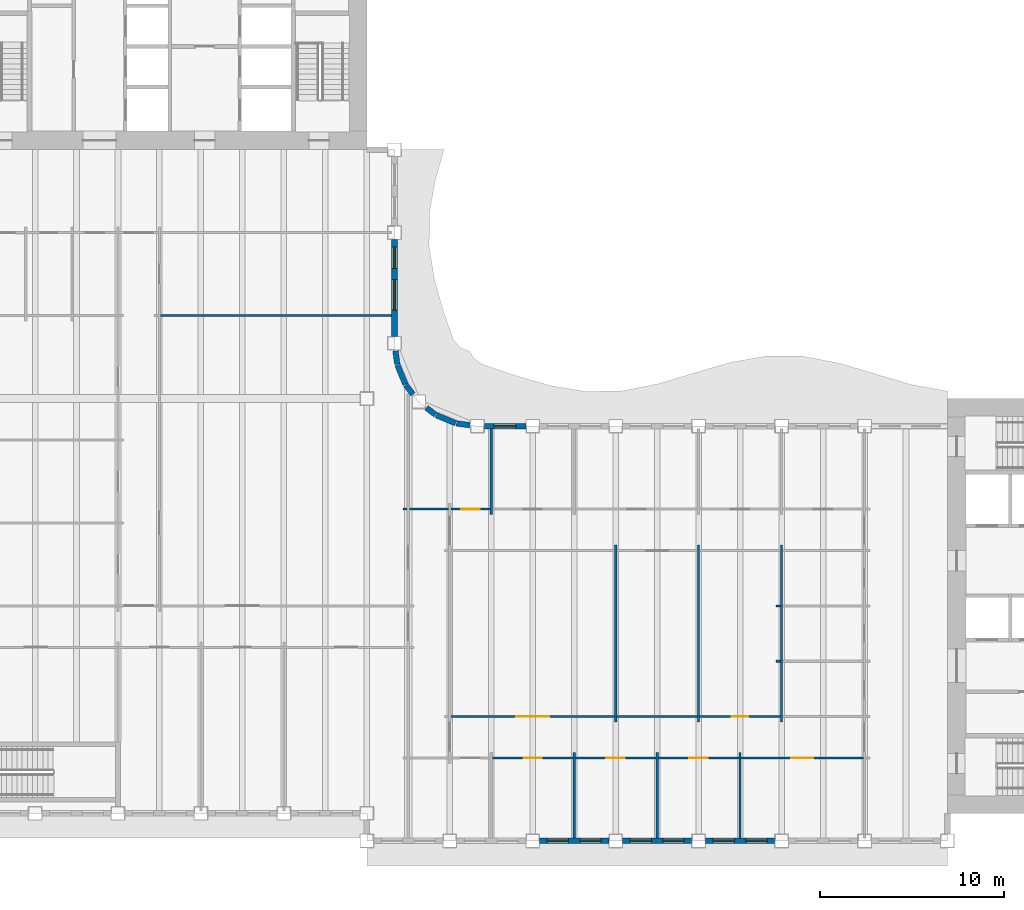
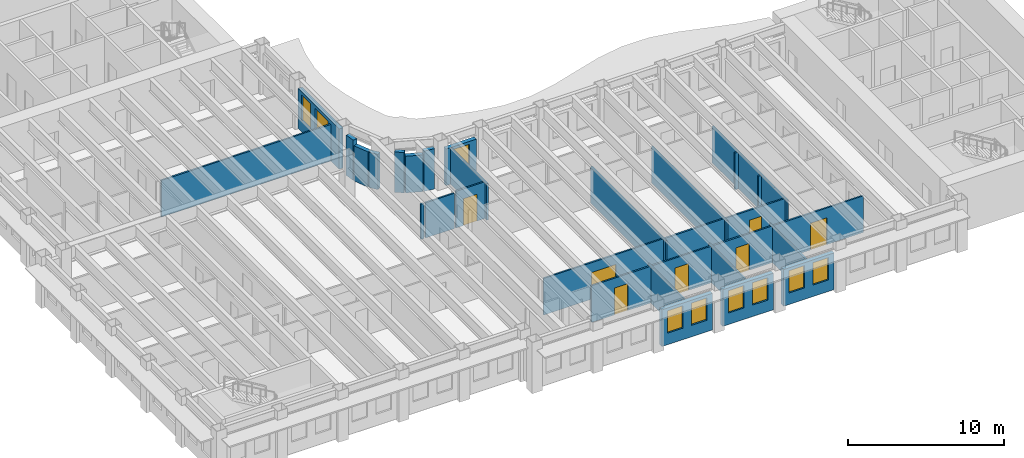
# One storey, part 5 of 17: 31 walls, 9 windows, 7 doors, 16 openings.
"""IFC4 building model written with IfcOpenShell, lengths in metres."""

from ifc_helpers import new_model, si_unit, direction, frame, frame_2d, origin, place, context, subcontext, project, spatial, rectangle, extrude, material, layer, layer_set, type_object, element, fill, save


model = new_model("IFC4")

# Units and contexts
model_context = context("Model", 3, precision=1e-05, world=origin(), true_north=direction((0.0, 1.0)))
body_context = subcontext(model_context, "Body", "Model", "MODEL_VIEW")
ifc_project = project(units=[si_unit("LENGTHUNIT", "METRE"), si_unit("AREAUNIT", "SQUARE_METRE"), si_unit("VOLUMEUNIT", "CUBIC_METRE"), si_unit("PLANEANGLEUNIT", "RADIAN"), si_unit("MASSUNIT", "GRAM", prefix="KILO")], contexts=[model_context])

# Site, building, storey
site_placement = place(None, origin())
site = spatial("IfcSite", under=ifc_project, at=site_placement, CompositionType="ELEMENT")
building_placement = place(site_placement, origin())
building = spatial("IfcBuilding", under=site, at=building_placement, Name="Sennacour Bend Tower", CompositionType="ELEMENT")
storey_placement = place(building_placement, frame((0.0, 0.0, 195.0)))
storey = spatial("IfcBuildingStorey", under=building, at=storey_placement, Name="L44", CompositionType="ELEMENT", Elevation=195.0)

# Walls
ifc_material_1 = material(Name="Plasterboard partition on steel studs", Category="steel")
ifc_layer_1 = layer(ifc_material_1, 0.1201171875, Name="Plasterboard partition on steel studs", Category="steel")
ifc_layer_set_1 = layer_set([ifc_layer_1], Name="Plasterboard partition on steel studs")
wall_type_1 = type_object("IfcWallType", Name="Partition 120", PredefinedType="PARTITIONING", material=ifc_layer_set_1)
for number, where, z_axis, x_axis, name in (
    (1, (29.25, 16.199951171875, 0.0), (0.0, 0.0, 1.0), (0.0, 1.0, 0.0), "P-L44-W027a"),
    (2, (33.75, -1.35009765625, 0.0), (0.0, 0.0, 1.0), (0.0, 1.0, 0.0), "P-L44-W028a"),
):
    element("IfcWall", number, at=place(storey_placement, frame(where, z_axis=z_axis, x_axis=x_axis)), inside=storey, type_object=wall_type_1, Name=name, PredefinedType="PARTITIONING", context=body_context, shape_type="SweptSolid", body=[
        extrude(rectangle(XDim=4.650146484375, YDim=0.1201171875, at=frame_2d((2.3251953125, 0.0))), origin(), (0.0, 0.0, 1.0), 2.8701171875),
    ])
wall_1_placement = place(storey_placement, frame((36.0, 4.949951171875, 0.0), z_axis=(0.0, 0.0, 1.0), x_axis=(0.0, 1.0, 0.0)))
element("IfcWall", 3, at=wall_1_placement, inside=storey, type_object=wall_type_1, Name="P-L44-W030a", PredefinedType="PARTITIONING", context=body_context, shape_type="SweptSolid", body=[
    extrude(rectangle(XDim=9.60009765625, YDim=0.1201171875, at=frame_2d((4.800048828125, 0.0))), origin(), (0.0, 0.0, 1.0), 2.8701171875),
])
wall_2_placement = place(storey_placement, frame((38.25, -1.35009765625, 0.0), z_axis=(0.0, 0.0, 1.0), x_axis=(0.0, 1.0, 0.0)))
element("IfcWall", 4, at=wall_2_placement, inside=storey, type_object=wall_type_1, Name="P-L44-W031a", PredefinedType="PARTITIONING", context=body_context, shape_type="SweptSolid", body=[
    extrude(rectangle(XDim=4.650146484375, YDim=0.1201171875, at=frame_2d((2.3251953125, 0.0))), origin(), (0.0, 0.0, 1.0), 2.8701171875),
])
wall_3_placement = place(storey_placement, frame((40.5, 4.949951171875, 0.0), z_axis=(0.0, 0.0, 1.0), x_axis=(0.0, 1.0, 0.0)))
element("IfcWall", 5, at=wall_3_placement, inside=storey, type_object=wall_type_1, Name="P-L44-W032a", PredefinedType="PARTITIONING", context=body_context, shape_type="SweptSolid", body=[
    extrude(rectangle(XDim=9.60009765625, YDim=0.1201171875, at=frame_2d((4.800048828125, 0.0))), origin(), (0.0, 0.0, 1.0), 2.8701171875),
])
wall_4_placement = place(storey_placement, frame((42.75, -1.35009765625, 0.0), z_axis=(0.0, 0.0, 1.0), x_axis=(0.0, 1.0, 0.0)))
element("IfcWall", 6, at=wall_4_placement, inside=storey, type_object=wall_type_1, Name="P-L44-W034a", PredefinedType="PARTITIONING", context=body_context, shape_type="SweptSolid", body=[
    extrude(rectangle(XDim=4.650146484375, YDim=0.1201171875, at=frame_2d((2.3251953125, 0.0))), origin(), (0.0, 0.0, 1.0), 2.8701171875),
])
wall_5_placement = place(storey_placement, frame((45.0, 4.949951171875, 0.0), z_axis=(0.0, 0.0, 1.0), x_axis=(0.0, 1.0, 0.0)))
element("IfcWall", 7, at=wall_5_placement, inside=storey, type_object=wall_type_1, Name="P-L44-W035a", PredefinedType="PARTITIONING", context=body_context, shape_type="SweptSolid", body=[
    extrude(rectangle(XDim=9.60009765625, YDim=0.1201171875, at=frame_2d((4.800048828125, 0.0))), origin(), (0.0, 0.0, 1.0), 2.8701171875),
])

# Wall, opening, door
wall_6_placement = place(storey_placement, frame((29.31005859375, 3.0, 0.0), z_axis=(0.0, 0.0, 1.0), x_axis=(1.0, 0.0, 0.0)))
wall_6 = element("IfcWall", 8, at=wall_6_placement, inside=storey, type_object=wall_type_1, Name="P-L44-W053ad", PredefinedType="PARTITIONING", context=body_context, shape_type="SweptSolid", body=[
    extrude(rectangle(XDim=4.3798828125, YDim=0.1201171875, at=frame_2d((2.18994140625, 0.0))), origin(), (0.0, 0.0, 1.0), 2.8701171875),
])
opening_1_placement = place(wall_6_placement, frame((1.68994140625, 0.0, 0.0)))
opening_1 = element("IfcOpeningElement", 9, at=opening_1_placement, cuts=wall_6, Name="Opening OD2", PredefinedType="OPENING", context=body_context, shape_type="SweptSolid", body=[
    extrude(rectangle(XDim=1.0, YDim=2.10009765625, at=frame_2d((0.5, 1.050048828125))), frame((0.0, 0.070068359375, 0.0), z_axis=(0.0, -1.0, 0.0), x_axis=(1.0, 0.0, 0.0)), (0.0, 0.0, 1.0), 0.14013671875),
])
ifc_material_2 = material(Name="Timber", Category="wood")
door_type_1 = type_object("IfcDoorType", Name="DR-OFFICE-1000", OperationType="NOTDEFINED", PredefinedType="DOOR", material=ifc_material_2)
door_1_placement = place(opening_1_placement, origin())
door_1 = element("IfcDoor", 10, at=door_1_placement, inside=storey, type_object=door_type_1, Name="Door", OperationType="SINGLE_SWING_LEFT", OverallHeight=2.10009765625, OverallWidth=1.0, PredefinedType="DOOR", context=body_context, shape_type="SweptSolid", body=[
    extrude(rectangle(XDim=1.0, YDim=2.10009765625, at=frame_2d((0.5, 1.050048828125))), frame((0.0, 0.02490234375, 0.0), z_axis=(0.0, -1.0, 0.0), x_axis=(1.0, 0.0, 0.0)), (0.0, 0.0, 1.0), 0.050048828125),
])
fill(opening_1, door_1)

wall_7_placement = place(storey_placement, frame((33.81005859375, 3.0, 0.0), z_axis=(0.0, 0.0, 1.0), x_axis=(1.0, 0.0, 0.0)))
wall_7 = element("IfcWall", 11, at=wall_7_placement, inside=storey, type_object=wall_type_1, Name="P-L44-W053ae", PredefinedType="PARTITIONING", context=body_context, shape_type="SweptSolid", body=[
    extrude(rectangle(XDim=4.3798828125, YDim=0.1201171875, at=frame_2d((2.18994140625, 0.0))), origin(), (0.0, 0.0, 1.0), 2.8701171875),
])
opening_2_placement = place(wall_7_placement, frame((1.68994140625, 0.0, 0.0)))
opening_2 = element("IfcOpeningElement", 12, at=opening_2_placement, cuts=wall_7, Name="Opening OD2", PredefinedType="OPENING", context=body_context, shape_type="SweptSolid", body=[
    extrude(rectangle(XDim=1.0, YDim=2.10009765625, at=frame_2d((0.5, 1.050048828125))), frame((0.0, 0.070068359375, 0.0), z_axis=(0.0, -1.0, 0.0), x_axis=(1.0, 0.0, 0.0)), (0.0, 0.0, 1.0), 0.14013671875),
])
door_2_placement = place(opening_2_placement, origin())
door_2 = element("IfcDoor", 13, at=door_2_placement, inside=storey, type_object=door_type_1, Name="Door", OperationType="SINGLE_SWING_LEFT", OverallHeight=2.10009765625, OverallWidth=1.0, PredefinedType="DOOR", context=body_context, shape_type="SweptSolid", body=[
    extrude(rectangle(XDim=1.0, YDim=2.10009765625, at=frame_2d((0.5, 1.050048828125))), frame((0.0, 0.02490234375, 0.0), z_axis=(0.0, -1.0, 0.0), x_axis=(1.0, 0.0, 0.0)), (0.0, 0.0, 1.0), 0.050048828125),
])
fill(opening_2, door_2)

wall_8_placement = place(storey_placement, frame((38.31005859375, 3.0, 0.0), z_axis=(0.0, 0.0, 1.0), x_axis=(1.0, 0.0, 0.0)))
wall_8 = element("IfcWall", 14, at=wall_8_placement, inside=storey, type_object=wall_type_1, Name="P-L44-W053af", PredefinedType="PARTITIONING", context=body_context, shape_type="SweptSolid", body=[
    extrude(rectangle(XDim=4.3798828125, YDim=0.1201171875, at=frame_2d((2.18994140625, 0.0))), origin(), (0.0, 0.0, 1.0), 2.8701171875),
])
opening_3_placement = place(wall_8_placement, frame((1.68994140625, 0.0, 0.0)))
opening_3 = element("IfcOpeningElement", 15, at=opening_3_placement, cuts=wall_8, Name="Opening OD2", PredefinedType="OPENING", context=body_context, shape_type="SweptSolid", body=[
    extrude(rectangle(XDim=1.0, YDim=2.10009765625, at=frame_2d((0.5, 1.050048828125))), frame((0.0, 0.070068359375, 0.0), z_axis=(0.0, -1.0, 0.0), x_axis=(1.0, 0.0, 0.0)), (0.0, 0.0, 1.0), 0.14013671875),
])
door_3_placement = place(opening_3_placement, origin())
door_3 = element("IfcDoor", 16, at=door_3_placement, inside=storey, type_object=door_type_1, Name="Door", OperationType="SINGLE_SWING_LEFT", OverallHeight=2.10009765625, OverallWidth=1.0, PredefinedType="DOOR", context=body_context, shape_type="SweptSolid", body=[
    extrude(rectangle(XDim=1.0, YDim=2.10009765625, at=frame_2d((0.5, 1.050048828125))), frame((0.0, 0.02490234375, 0.0), z_axis=(0.0, -1.0, 0.0), x_axis=(1.0, 0.0, 0.0)), (0.0, 0.0, 1.0), 0.050048828125),
])
fill(opening_3, door_3)

wall_9_placement = place(storey_placement, frame((42.81005859375, 3.0, 0.0), z_axis=(0.0, 0.0, 1.0), x_axis=(1.0, 0.0, 0.0)))
wall_9 = element("IfcWall", 17, at=wall_9_placement, inside=storey, type_object=wall_type_1, Name="P-L44-W053ag", PredefinedType="PARTITIONING", context=body_context, shape_type="SweptSolid", body=[
    extrude(rectangle(XDim=6.6298828125, YDim=0.1201171875, at=frame_2d((3.31494140625, 0.0))), origin(), (0.0, 0.0, 1.0), 2.8701171875),
])
opening_4_placement = place(wall_9_placement, frame((2.71484375, 0.0, 0.0)))
opening_4 = element("IfcOpeningElement", 18, at=opening_4_placement, cuts=wall_9, Name="Opening OD", PredefinedType="OPENING", context=body_context, shape_type="SweptSolid", body=[
    extrude(rectangle(XDim=1.199951171875, YDim=2.10009765625, at=frame_2d((0.60009765625, 1.050048828125))), frame((0.0, 0.070068359375, 0.0), z_axis=(0.0, -1.0, 0.0), x_axis=(1.0, 0.0, 0.0)), (0.0, 0.0, 1.0), 0.14013671875),
])
door_type_2 = type_object("IfcDoorType", Name="DR-OFFICE-1200", OperationType="NOTDEFINED", PredefinedType="DOOR", material=ifc_material_2)
door_4_placement = place(opening_4_placement, origin())
door_4 = element("IfcDoor", 19, at=door_4_placement, inside=storey, type_object=door_type_2, Name="Door", OperationType="SINGLE_SWING_LEFT", OverallHeight=2.10009765625, OverallWidth=1.199951171875, PredefinedType="DOOR", context=body_context, shape_type="SweptSolid", body=[
    extrude(rectangle(XDim=1.199951171875, YDim=2.10009765625, at=frame_2d((0.60009765625, 1.050048828125))), frame((0.0, 0.02490234375, 0.0), z_axis=(0.0, -1.0, 0.0), x_axis=(1.0, 0.0, 0.0)), (0.0, 0.0, 1.0), 0.050048828125),
])
fill(opening_4, door_4)

wall_10_placement = place(storey_placement, frame((27.06005859375, 5.25, 0.0), z_axis=(0.0, 0.0, 1.0), x_axis=(1.0, 0.0, 0.0)))
wall_10 = element("IfcWall", 20, at=wall_10_placement, inside=storey, type_object=wall_type_1, Name="P-L44-W058ab", PredefinedType="PARTITIONING", context=body_context, shape_type="SweptSolid", body=[
    extrude(rectangle(XDim=8.8798828125, YDim=0.1201171875, at=frame_2d((4.43994140625, 0.0))), origin(), (0.0, 0.0, 1.0), 2.8701171875),
])
opening_5_placement = place(wall_10_placement, frame((3.539794921875, 0.0, 0.0)))
opening_5 = element("IfcOpeningElement", 21, at=opening_5_placement, cuts=wall_10, Name="Opening OD3", PredefinedType="OPENING", context=body_context, shape_type="SweptSolid", body=[
    extrude(rectangle(XDim=1.800048828125, YDim=2.10009765625, at=frame_2d((0.89990234375, 1.050048828125))), frame((0.0, 0.070068359375, 0.0), z_axis=(0.0, -1.0, 0.0), x_axis=(1.0, 0.0, 0.0)), (0.0, 0.0, 1.0), 0.14013671875),
])
door_type_3 = type_object("IfcDoorType", Name="DR-OFFICE-1800", OperationType="NOTDEFINED", PredefinedType="DOOR", material=ifc_material_2)
door_5_placement = place(opening_5_placement, origin())
door_5 = element("IfcDoor", 22, at=door_5_placement, inside=storey, type_object=door_type_3, Name="Door", OperationType="DOUBLE_DOOR_SINGLE_SWING", OverallHeight=2.10009765625, OverallWidth=1.800048828125, PredefinedType="DOOR", context=body_context, shape_type="SweptSolid", body=[
    extrude(rectangle(XDim=1.800048828125, YDim=2.10009765625, at=frame_2d((0.89990234375, 1.050048828125))), frame((0.0, 0.02490234375, 0.0), z_axis=(0.0, -1.0, 0.0), x_axis=(1.0, 0.0, 0.0)), (0.0, 0.0, 1.0), 0.050048828125),
])
fill(opening_5, door_5)

# Walls
wall_11_placement = place(storey_placement, frame((36.06005859375, 5.25, 0.0), z_axis=(0.0, 0.0, 1.0), x_axis=(1.0, 0.0, 0.0)))
element("IfcWall", 23, at=wall_11_placement, inside=storey, type_object=wall_type_1, Name="P-L44-W058ac", PredefinedType="PARTITIONING", context=body_context, shape_type="SweptSolid", body=[
    extrude(rectangle(XDim=4.3798828125, YDim=0.1201171875, at=frame_2d((2.18994140625, 0.0))), origin(), (0.0, 0.0, 1.0), 2.8701171875),
])
for number, where, z_axis, x_axis, name in (
    (24, (44.699951171875, 8.25, 0.0), (0.0, 0.0, 1.0), (1.0, 0.0, 0.0), "P-L44-W060aa"),
    (25, (44.699951171875, 11.25, 0.0), (0.0, 0.0, 1.0), (1.0, 0.0, 0.0), "P-L44-W064aa"),
):
    element("IfcWall", number, at=place(storey_placement, frame(where, z_axis=z_axis, x_axis=x_axis)), inside=storey, type_object=wall_type_1, Name=name, PredefinedType="PARTITIONING", context=body_context, shape_type="SweptSolid", body=[
        extrude(rectangle(XDim=0.239990234375, YDim=0.1201171875, at=frame_2d((0.1201171875, 0.0))), origin(), (0.0, 0.0, 1.0), 2.8701171875),
    ])
wall_12_placement = place(storey_placement, frame((24.449951171875, 16.5, 0.0), z_axis=(0.0, 0.0, 1.0), x_axis=(1.0, 0.0, 0.0)))
element("IfcWall", 26, at=wall_12_placement, inside=storey, type_object=wall_type_1, Name="P-L44-W070aa", PredefinedType="PARTITIONING", context=body_context, shape_type="SweptSolid", body=[
    extrude(rectangle(XDim=0.239990234375, YDim=0.1201171875, at=frame_2d((0.1201171875, 0.0))), origin(), (0.0, 0.0, 1.0), 2.760009765625),
])
wall_13_placement = place(storey_placement, frame((24.81005859375, 16.5, 0.0), z_axis=(0.0, 0.0, 1.0), x_axis=(1.0, 0.0, 0.0)))
element("IfcWall", 27, at=wall_13_placement, inside=storey, type_object=wall_type_1, Name="P-L44-W070ab", PredefinedType="PARTITIONING", context=body_context, shape_type="SweptSolid", body=[
    extrude(rectangle(XDim=2.1298828125, YDim=0.1201171875, at=frame_2d((1.06494140625, 0.0))), origin(), (0.0, 0.0, 1.0), 2.760009765625),
])

# Wall, opening, door
wall_14_placement = place(storey_placement, frame((27.06005859375, 16.5, 0.0), z_axis=(0.0, 0.0, 1.0), x_axis=(1.0, 0.0, 0.0)))
wall_14 = element("IfcWall", 28, at=wall_14_placement, inside=storey, type_object=wall_type_1, Name="P-L44-W070ac", PredefinedType="PARTITIONING", context=body_context, shape_type="SweptSolid", body=[
    extrude(rectangle(XDim=2.1298828125, YDim=0.1201171875, at=frame_2d((1.06494140625, 0.0))), origin(), (0.0, 0.0, 1.0), 2.8701171875),
])
opening_6_placement = place(wall_14_placement, frame((0.56494140625, 0.0, 0.0)))
opening_6 = element("IfcOpeningElement", 29, at=opening_6_placement, cuts=wall_14, Name="Opening OD2", PredefinedType="OPENING", context=body_context, shape_type="SweptSolid", body=[
    extrude(rectangle(XDim=1.0, YDim=2.10009765625, at=frame_2d((0.5, 1.050048828125))), frame((0.0, 0.070068359375, 0.0), z_axis=(0.0, -1.0, 0.0), x_axis=(1.0, 0.0, 0.0)), (0.0, 0.0, 1.0), 0.14013671875),
])
door_6_placement = place(opening_6_placement, origin())
door_6 = element("IfcDoor", 30, at=door_6_placement, inside=storey, type_object=door_type_1, Name="Door", OperationType="SINGLE_SWING_LEFT", OverallHeight=2.10009765625, OverallWidth=1.0, PredefinedType="DOOR", context=body_context, shape_type="SweptSolid", body=[
    extrude(rectangle(XDim=1.0, YDim=2.10009765625, at=frame_2d((0.5, 1.050048828125))), frame((0.0, 0.02490234375, 0.0), z_axis=(0.0, -1.0, 0.0), x_axis=(1.0, 0.0, 0.0)), (0.0, 0.0, 1.0), 0.050048828125),
])
fill(opening_6, door_6)

# Wall
wall_15_placement = place(storey_placement, frame((11.31005859375, 27.0, 0.0), z_axis=(0.0, 0.0, 1.0), x_axis=(1.0, 0.0, 0.0)))
element("IfcWall", 31, at=wall_15_placement, inside=storey, type_object=wall_type_1, Name="P-L44-W078ab", PredefinedType="PARTITIONING", context=body_context, shape_type="SweptSolid", body=[
    extrude(rectangle(XDim=12.5400390625, YDim=0.1201171875, at=frame_2d((6.27001953125, 0.0))), origin(), (0.0, 0.0, 1.0), 2.8701171875),
])

# Wall, opening, door
ifc_layer_2 = layer(ifc_material_1, 0.1201171875, Name="Plasterboard partition on steel studs", Category="steel")
ifc_layer_set_2 = layer_set([ifc_layer_2], Name="Plasterboard partition on steel studs")
wall_type_2 = type_object("IfcWallType", Name="Partition 120 EI 60", PredefinedType="PARTITIONING", material=ifc_layer_set_2)
wall_16_placement = place(storey_placement, frame((40.56005859375, 5.25, 0.0), z_axis=(0.0, 0.0, 1.0), x_axis=(1.0, 0.0, 0.0)))
wall_16 = element("IfcWall", 32, at=wall_16_placement, inside=storey, type_object=wall_type_2, Name="P-L44-W058ad", PredefinedType="PARTITIONING", context=body_context, shape_type="SweptSolid", body=[
    extrude(rectangle(XDim=4.3798828125, YDim=0.1201171875, at=frame_2d((2.18994140625, 0.0))), origin(), (0.0, 0.0, 1.0), 2.8701171875),
])
opening_7_placement = place(wall_16_placement, frame((1.739990234375, 0.0, 0.0)))
opening_7 = element("IfcOpeningElement", 33, at=opening_7_placement, cuts=wall_16, Name="Opening SV", PredefinedType="OPENING", context=body_context, shape_type="SweptSolid", body=[
    extrude(rectangle(XDim=0.89990234375, YDim=2.10009765625, at=frame_2d((0.449951171875, 1.050048828125))), frame((0.0, 0.070068359375, 0.0), z_axis=(0.0, -1.0, 0.0), x_axis=(1.0, 0.0, 0.0)), (0.0, 0.0, 1.0), 0.14013671875),
])
ifc_material_3 = material(Name="Painted steel", Category="steel")
door_type_4 = type_object("IfcDoorType", Name="DR-SERVICE-900", OperationType="NOTDEFINED", PredefinedType="DOOR", material=ifc_material_3)
door_7_placement = place(opening_7_placement, origin())
door_7 = element("IfcDoor", 34, at=door_7_placement, inside=storey, type_object=door_type_4, Name="Door", OperationType="SINGLE_SWING_LEFT", OverallHeight=2.10009765625, OverallWidth=0.89990234375, PredefinedType="DOOR", context=body_context, shape_type="SweptSolid", body=[
    extrude(rectangle(XDim=0.89990234375, YDim=2.10009765625, at=frame_2d((0.449951171875, 1.050048828125))), frame((0.0, 0.02490234375, 0.0), z_axis=(0.0, -1.0, 0.0), x_axis=(1.0, 0.0, 0.0)), (0.0, 0.0, 1.0), 0.050048828125),
])
fill(opening_7, door_7)

# Wall, openings, windows
ifc_material_4 = material(Name="Warm limestone cladding", Category="masonry")
ifc_layer_3 = layer(ifc_material_4, 0.050048828125, Name="Warm limestone cladding", Category="masonry")
ifc_material_5 = material(Name="Precast concrete C40/50", Category="concrete")
ifc_layer_4 = layer(ifc_material_5, 0.25, Name="Precast concrete C40/50", Category="concrete")
ifc_layer_set_3 = layer_set([ifc_layer_3, ifc_layer_4], Name="Precast concrete C40/50 with limestone cladding")
wall_type_3 = type_object("IfcWallType", Name="STONE-CLAD PRECAST SPANDREL 300", PredefinedType="STANDARD", material=ifc_layer_set_3)
wall_17_placement = place(storey_placement, frame((31.875, -1.5, 0.0), z_axis=(0.0, 0.0, 1.0), x_axis=(1.0, 0.0, 0.0)))
wall_17 = element("IfcWall", 35, at=wall_17_placement, inside=storey, type_object=wall_type_3, Name="Stone spandrel and pier wall L44 00.02", PredefinedType="STANDARD", context=body_context, shape_type="SweptSolid", body=[
    extrude(rectangle(XDim=3.75, YDim=0.300048828125, at=frame_2d((1.875, 0.0))), origin(), (0.0, 0.0, 1.0), 2.8701171875),
])
opening_8_placement = place(wall_17_placement, frame((0.41259765625, 0.0, 0.89990234375)))
opening_8 = element("IfcOpeningElement", 36, at=opening_8_placement, cuts=wall_17, Name="Opening W23", PredefinedType="OPENING", context=body_context, shape_type="SweptSolid", body=[
    extrude(rectangle(XDim=1.14990234375, YDim=1.75, at=frame_2d((0.574951171875, 0.875))), frame((0.0, 0.16015625, 0.0), z_axis=(0.0, -1.0, 0.0), x_axis=(1.0, 0.0, 0.0)), (0.0, 0.0, 1.0), 0.320068359375),
])
opening_9_placement = place(wall_17_placement, frame((2.1875, 0.0, 0.89990234375)))
opening_9 = element("IfcOpeningElement", 37, at=opening_9_placement, cuts=wall_17, Name="Opening W23", PredefinedType="OPENING", context=body_context, shape_type="SweptSolid", body=[
    extrude(rectangle(XDim=1.14990234375, YDim=1.75, at=frame_2d((0.574951171875, 0.875))), frame((0.0, 0.16015625, 0.0), z_axis=(0.0, -1.0, 0.0), x_axis=(1.0, 0.0, 0.0)), (0.0, 0.0, 1.0), 0.320068359375),
])
ifc_material_6 = material(Name="Clear low-emissivity glass", Category="glass")
window_type_1 = type_object("IfcWindowType", Name="WIN-RIBBON-1150x1750", PartitioningType="SINGLE_PANEL", PredefinedType="WINDOW", material=ifc_material_6)
window_1_placement = place(opening_8_placement, origin())
window_1 = element("IfcWindow", 38, at=window_1_placement, inside=storey, type_object=window_type_1, Name="Ribbon window L44 00.02.0", OverallHeight=1.75, OverallWidth=1.14990234375, PartitioningType="SINGLE_PANEL", PredefinedType="WINDOW", context=body_context, shape_type="SweptSolid", body=[
    extrude(rectangle(XDim=1.14990234375, YDim=1.75, at=frame_2d((0.574951171875, 0.875))), frame((0.0, 0.030029296875, 0.0), z_axis=(0.0, -1.0, 0.0), x_axis=(1.0, 0.0, 0.0)), (0.0, 0.0, 1.0), 0.06005859375),
])
fill(opening_8, window_1)
window_2_placement = place(opening_9_placement, origin())
window_2 = element("IfcWindow", 39, at=window_2_placement, inside=storey, type_object=window_type_1, Name="Ribbon window L44 00.02.1", OverallHeight=1.75, OverallWidth=1.14990234375, PartitioningType="SINGLE_PANEL", PredefinedType="WINDOW", context=body_context, shape_type="SweptSolid", body=[
    extrude(rectangle(XDim=1.14990234375, YDim=1.75, at=frame_2d((0.574951171875, 0.875))), frame((0.0, 0.030029296875, 0.0), z_axis=(0.0, -1.0, 0.0), x_axis=(1.0, 0.0, 0.0)), (0.0, 0.0, 1.0), 0.06005859375),
])
fill(opening_9, window_2)

wall_18_placement = place(storey_placement, frame((36.375, -1.5, 0.0), z_axis=(0.0, 0.0, 1.0), x_axis=(1.0, 0.0, 0.0)))
wall_18 = element("IfcWall", 40, at=wall_18_placement, inside=storey, type_object=wall_type_3, Name="Stone spandrel and pier wall L44 00.03", PredefinedType="STANDARD", context=body_context, shape_type="SweptSolid", body=[
    extrude(rectangle(XDim=3.75, YDim=0.300048828125, at=frame_2d((1.875, 0.0))), origin(), (0.0, 0.0, 1.0), 2.8701171875),
])
opening_10_placement = place(wall_18_placement, frame((0.41259765625, 0.0, 0.89990234375)))
opening_10 = element("IfcOpeningElement", 41, at=opening_10_placement, cuts=wall_18, Name="Opening W23", PredefinedType="OPENING", context=body_context, shape_type="SweptSolid", body=[
    extrude(rectangle(XDim=1.14990234375, YDim=1.75, at=frame_2d((0.574951171875, 0.875))), frame((0.0, 0.16015625, 0.0), z_axis=(0.0, -1.0, 0.0), x_axis=(1.0, 0.0, 0.0)), (0.0, 0.0, 1.0), 0.320068359375),
])
opening_11_placement = place(wall_18_placement, frame((2.1875, 0.0, 0.89990234375)))
opening_11 = element("IfcOpeningElement", 42, at=opening_11_placement, cuts=wall_18, Name="Opening W23", PredefinedType="OPENING", context=body_context, shape_type="SweptSolid", body=[
    extrude(rectangle(XDim=1.14990234375, YDim=1.75, at=frame_2d((0.574951171875, 0.875))), frame((0.0, 0.16015625, 0.0), z_axis=(0.0, -1.0, 0.0), x_axis=(1.0, 0.0, 0.0)), (0.0, 0.0, 1.0), 0.320068359375),
])
window_3_placement = place(opening_10_placement, origin())
window_3 = element("IfcWindow", 43, at=window_3_placement, inside=storey, type_object=window_type_1, Name="Ribbon window L44 00.03.0", OverallHeight=1.75, OverallWidth=1.14990234375, PartitioningType="SINGLE_PANEL", PredefinedType="WINDOW", context=body_context, shape_type="SweptSolid", body=[
    extrude(rectangle(XDim=1.14990234375, YDim=1.75, at=frame_2d((0.574951171875, 0.875))), frame((0.0, 0.030029296875, 0.0), z_axis=(0.0, -1.0, 0.0), x_axis=(1.0, 0.0, 0.0)), (0.0, 0.0, 1.0), 0.06005859375),
])
fill(opening_10, window_3)
window_4_placement = place(opening_11_placement, origin())
window_4 = element("IfcWindow", 44, at=window_4_placement, inside=storey, type_object=window_type_1, Name="Ribbon window L44 00.03.1", OverallHeight=1.75, OverallWidth=1.14990234375, PartitioningType="SINGLE_PANEL", PredefinedType="WINDOW", context=body_context, shape_type="SweptSolid", body=[
    extrude(rectangle(XDim=1.14990234375, YDim=1.75, at=frame_2d((0.574951171875, 0.875))), frame((0.0, 0.030029296875, 0.0), z_axis=(0.0, -1.0, 0.0), x_axis=(1.0, 0.0, 0.0)), (0.0, 0.0, 1.0), 0.06005859375),
])
fill(opening_11, window_4)

wall_19_placement = place(storey_placement, frame((40.875, -1.5, 0.0), z_axis=(0.0, 0.0, 1.0), x_axis=(1.0, 0.0, 0.0)))
wall_19 = element("IfcWall", 45, at=wall_19_placement, inside=storey, type_object=wall_type_3, Name="Stone spandrel and pier wall L44 00.04", PredefinedType="STANDARD", context=body_context, shape_type="SweptSolid", body=[
    extrude(rectangle(XDim=3.75, YDim=0.300048828125, at=frame_2d((1.875, 0.0))), origin(), (0.0, 0.0, 1.0), 2.8701171875),
])
opening_12_placement = place(wall_19_placement, frame((0.41259765625, 0.0, 0.89990234375)))
opening_12 = element("IfcOpeningElement", 46, at=opening_12_placement, cuts=wall_19, Name="Opening W23", PredefinedType="OPENING", context=body_context, shape_type="SweptSolid", body=[
    extrude(rectangle(XDim=1.14990234375, YDim=1.75, at=frame_2d((0.574951171875, 0.875))), frame((0.0, 0.16015625, 0.0), z_axis=(0.0, -1.0, 0.0), x_axis=(1.0, 0.0, 0.0)), (0.0, 0.0, 1.0), 0.320068359375),
])
opening_13_placement = place(wall_19_placement, frame((2.1875, 0.0, 0.89990234375)))
opening_13 = element("IfcOpeningElement", 47, at=opening_13_placement, cuts=wall_19, Name="Opening W23", PredefinedType="OPENING", context=body_context, shape_type="SweptSolid", body=[
    extrude(rectangle(XDim=1.14990234375, YDim=1.75, at=frame_2d((0.574951171875, 0.875))), frame((0.0, 0.16015625, 0.0), z_axis=(0.0, -1.0, 0.0), x_axis=(1.0, 0.0, 0.0)), (0.0, 0.0, 1.0), 0.320068359375),
])
window_5_placement = place(opening_12_placement, origin())
window_5 = element("IfcWindow", 48, at=window_5_placement, inside=storey, type_object=window_type_1, Name="Ribbon window L44 00.04.0", OverallHeight=1.75, OverallWidth=1.14990234375, PartitioningType="SINGLE_PANEL", PredefinedType="WINDOW", context=body_context, shape_type="SweptSolid", body=[
    extrude(rectangle(XDim=1.14990234375, YDim=1.75, at=frame_2d((0.574951171875, 0.875))), frame((0.0, 0.030029296875, 0.0), z_axis=(0.0, -1.0, 0.0), x_axis=(1.0, 0.0, 0.0)), (0.0, 0.0, 1.0), 0.06005859375),
])
fill(opening_12, window_5)
window_6_placement = place(opening_13_placement, origin())
window_6 = element("IfcWindow", 49, at=window_6_placement, inside=storey, type_object=window_type_1, Name="Ribbon window L44 00.04.1", OverallHeight=1.75, OverallWidth=1.14990234375, PartitioningType="SINGLE_PANEL", PredefinedType="WINDOW", context=body_context, shape_type="SweptSolid", body=[
    extrude(rectangle(XDim=1.14990234375, YDim=1.75, at=frame_2d((0.574951171875, 0.875))), frame((0.0, 0.030029296875, 0.0), z_axis=(0.0, -1.0, 0.0), x_axis=(1.0, 0.0, 0.0)), (0.0, 0.0, 1.0), 0.06005859375),
])
fill(opening_13, window_6)

# Wall, opening, window
wall_20_placement = place(storey_placement, frame((31.125, 21.0, 0.0), z_axis=(0.0, 0.0, 1.0), x_axis=(-1.0, 0.0, 0.0)))
wall_20 = element("IfcWall", 50, at=wall_20_placement, inside=storey, type_object=wall_type_3, Name="Stone spandrel and pier wall L44 06.05", PredefinedType="STANDARD", context=body_context, shape_type="SweptSolid", body=[
    extrude(rectangle(XDim=2.25, YDim=0.300048828125, at=frame_2d((1.125, 0.0))), origin(), (0.0, 0.0, 1.0), 2.8701171875),
])
opening_14_placement = place(wall_20_placement, frame((0.52490234375, 0.0, 0.89990234375)))
opening_14 = element("IfcOpeningElement", 51, at=opening_14_placement, cuts=wall_20, Name="Opening W16", PredefinedType="OPENING", context=body_context, shape_type="SweptSolid", body=[
    extrude(rectangle(XDim=1.199951171875, YDim=1.75, at=frame_2d((0.60009765625, 0.875))), frame((0.0, 0.16015625, 0.0), z_axis=(0.0, -1.0, 0.0), x_axis=(1.0, 0.0, 0.0)), (0.0, 0.0, 1.0), 0.320068359375),
])
window_type_2 = type_object("IfcWindowType", Name="WIN-RIBBON-1200x1750", PartitioningType="SINGLE_PANEL", PredefinedType="WINDOW", material=ifc_material_6)
window_7_placement = place(opening_14_placement, origin())
window_7 = element("IfcWindow", 52, at=window_7_placement, inside=storey, type_object=window_type_2, Name="Ribbon window L44 06.05", OverallHeight=1.75, OverallWidth=1.199951171875, PartitioningType="SINGLE_PANEL", PredefinedType="WINDOW", context=body_context, shape_type="SweptSolid", body=[
    extrude(rectangle(XDim=1.199951171875, YDim=1.75, at=frame_2d((0.60009765625, 0.875))), frame((0.0, 0.030029296875, 0.0), z_axis=(0.0, -1.0, 0.0), x_axis=(1.0, 0.0, 0.0)), (0.0, 0.0, 1.0), 0.06005859375),
])
fill(opening_14, window_7)

# Walls
wall_21_placement = place(storey_placement, frame((28.0830078125, 21.054931640625, 0.0), z_axis=(0.0, 0.0, 1.0), x_axis=(-0.99142711513, 0.130660917588, 0.0)))
element("IfcWall", 53, at=wall_21_placement, inside=storey, type_object=wall_type_3, Name="Stone spandrel and pier wall L44 07.00", PredefinedType="STANDARD", context=body_context, shape_type="SweptSolid", body=[
    extrude(rectangle(XDim=0.734375, YDim=0.300048828125, at=frame_2d((0.3671875, 0.0))), origin(), (0.0, 0.0, 1.0), 3.156982421875),
])
wall_22_placement = place(storey_placement, frame((27.317138671875, 21.160888671875, 0.0), z_axis=(0.0, 0.0, 1.0), x_axis=(-0.923914616768, 0.382598720491, 0.0)))
element("IfcWall", 54, at=wall_22_placement, inside=storey, type_object=wall_type_3, Name="Stone spandrel and pier wall L44 08.00", PredefinedType="STANDARD", context=body_context, shape_type="SweptSolid", body=[
    extrude(rectangle(XDim=1.13525390625, YDim=0.300048828125, at=frame_2d((0.567626953125, 0.0))), origin(), (0.0, 0.0, 1.0), 2.8701171875),
])
wall_23_placement = place(storey_placement, frame((26.234375, 21.614990234375, 0.0), z_axis=(0.0, 0.0, 1.0), x_axis=(-0.793575131083, 0.608472276547, 0.0)))
element("IfcWall", 55, at=wall_23_placement, inside=storey, type_object=wall_type_3, Name="Stone spandrel and pier wall L44 09.00", PredefinedType="STANDARD", context=body_context, shape_type="SweptSolid", body=[
    extrude(rectangle(XDim=0.629150390625, YDim=0.300048828125, at=frame_2d((0.314453125, 0.0))), origin(), (0.0, 0.0, 1.0), 3.156982421875),
])
wall_24_placement = place(storey_placement, frame((24.997802734375, 22.735107421875, 0.0), z_axis=(0.0, 0.0, 1.0), x_axis=(-0.608472276547, 0.793575131083, 0.0)))
element("IfcWall", 56, at=wall_24_placement, inside=storey, type_object=wall_type_3, Name="Stone spandrel and pier wall L44 10.00", PredefinedType="STANDARD", context=body_context, shape_type="SweptSolid", body=[
    extrude(rectangle(XDim=0.629150390625, YDim=0.300048828125, at=frame_2d((0.314453125, 0.0))), origin(), (0.0, 0.0, 1.0), 2.760009765625),
])
wall_25_placement = place(storey_placement, frame((24.59521484375, 23.268310546875, 0.0), z_axis=(0.0, 0.0, 1.0), x_axis=(-0.382598720491, 0.923914616768, 0.0)))
element("IfcWall", 57, at=wall_25_placement, inside=storey, type_object=wall_type_3, Name="Stone spandrel and pier wall L44 11.00", PredefinedType="STANDARD", context=body_context, shape_type="SweptSolid", body=[
    extrude(rectangle(XDim=1.13525390625, YDim=0.300048828125, at=frame_2d((0.567626953125, 0.0))), origin(), (0.0, 0.0, 1.0), 2.760009765625),
])
wall_26_placement = place(storey_placement, frame((24.15087890625, 24.35498046875, 0.0), z_axis=(0.0, 0.0, 1.0), x_axis=(-0.130660917588, 0.99142711513, 0.0)))
element("IfcWall", 58, at=wall_26_placement, inside=storey, type_object=wall_type_3, Name="Stone spandrel and pier wall L44 12.00", PredefinedType="STANDARD", context=body_context, shape_type="SweptSolid", body=[
    extrude(rectangle(XDim=0.734375, YDim=0.300048828125, at=frame_2d((0.3671875, 0.0))), origin(), (0.0, 0.0, 1.0), 3.156982421875),
])

# Wall, openings, windows
wall_27_placement = place(storey_placement, frame((24.0, 25.875, 0.0), z_axis=(0.0, 0.0, 1.0), x_axis=(0.0, 1.0, 0.0)))
wall_27 = element("IfcWall", 59, at=wall_27_placement, inside=storey, type_object=wall_type_3, Name="Stone spandrel and pier wall L44 13.00", PredefinedType="STANDARD", context=body_context, shape_type="SweptSolid", body=[
    extrude(rectangle(XDim=5.25, YDim=0.300048828125, at=frame_2d((2.625, 0.0))), origin(), (0.0, 0.0, 1.0), 3.156982421875),
])
opening_15_placement = place(wall_27_placement, frame((1.425048828125, 0.0, 0.89990234375)))
opening_15 = element("IfcOpeningElement", 60, at=opening_15_placement, cuts=wall_27, Name="Opening W10", PredefinedType="OPENING", context=body_context, shape_type="SweptSolid", body=[
    extrude(rectangle(XDim=1.64990234375, YDim=2.0, at=frame_2d((0.824951171875, 1.0))), frame((0.0, 0.16015625, 0.0), z_axis=(0.0, -1.0, 0.0), x_axis=(1.0, 0.0, 0.0)), (0.0, 0.0, 1.0), 0.320068359375),
])
opening_16_placement = place(wall_27_placement, frame((3.6875, 0.0, 0.89990234375)))
opening_16 = element("IfcOpeningElement", 61, at=opening_16_placement, cuts=wall_27, Name="Opening W24", PredefinedType="OPENING", context=body_context, shape_type="SweptSolid", body=[
    extrude(rectangle(XDim=1.14990234375, YDim=2.0, at=frame_2d((0.574951171875, 1.0))), frame((0.0, 0.16015625, 0.0), z_axis=(0.0, -1.0, 0.0), x_axis=(1.0, 0.0, 0.0)), (0.0, 0.0, 1.0), 0.320068359375),
])
window_type_3 = type_object("IfcWindowType", Name="WIN-RIBBON-1150x2000", PartitioningType="SINGLE_PANEL", PredefinedType="WINDOW", material=ifc_material_6)
window_8_placement = place(opening_16_placement, origin())
window_8 = element("IfcWindow", 62, at=window_8_placement, inside=storey, type_object=window_type_3, Name="Ribbon window L44 13.00.1", OverallHeight=2.0, OverallWidth=1.14990234375, PartitioningType="SINGLE_PANEL", PredefinedType="WINDOW", context=body_context, shape_type="SweptSolid", body=[
    extrude(rectangle(XDim=1.14990234375, YDim=2.0, at=frame_2d((0.574951171875, 1.0))), frame((0.0, 0.030029296875, 0.0), z_axis=(0.0, -1.0, 0.0), x_axis=(1.0, 0.0, 0.0)), (0.0, 0.0, 1.0), 0.06005859375),
])
fill(opening_16, window_8)
window_type_4 = type_object("IfcWindowType", Name="WIN-RIBBON-1650x2000", PartitioningType="SINGLE_PANEL", PredefinedType="WINDOW", material=ifc_material_6)
window_9_placement = place(opening_15_placement, origin())
window_9 = element("IfcWindow", 63, at=window_9_placement, inside=storey, type_object=window_type_4, Name="Ribbon window L44 13.00.0", OverallHeight=2.0, OverallWidth=1.64990234375, PartitioningType="SINGLE_PANEL", PredefinedType="WINDOW", context=body_context, shape_type="SweptSolid", body=[
    extrude(rectangle(XDim=1.64990234375, YDim=2.0, at=frame_2d((0.824951171875, 1.0))), frame((0.0, 0.030029296875, 0.0), z_axis=(0.0, -1.0, 0.0), x_axis=(1.0, 0.0, 0.0)), (0.0, 0.0, 1.0), 0.06005859375),
])
fill(opening_15, window_9)

save(model, "model.ifc")
